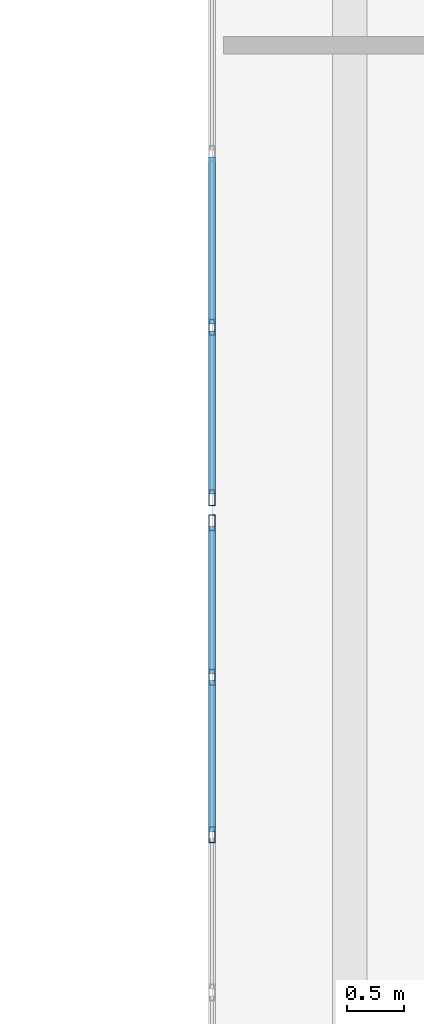
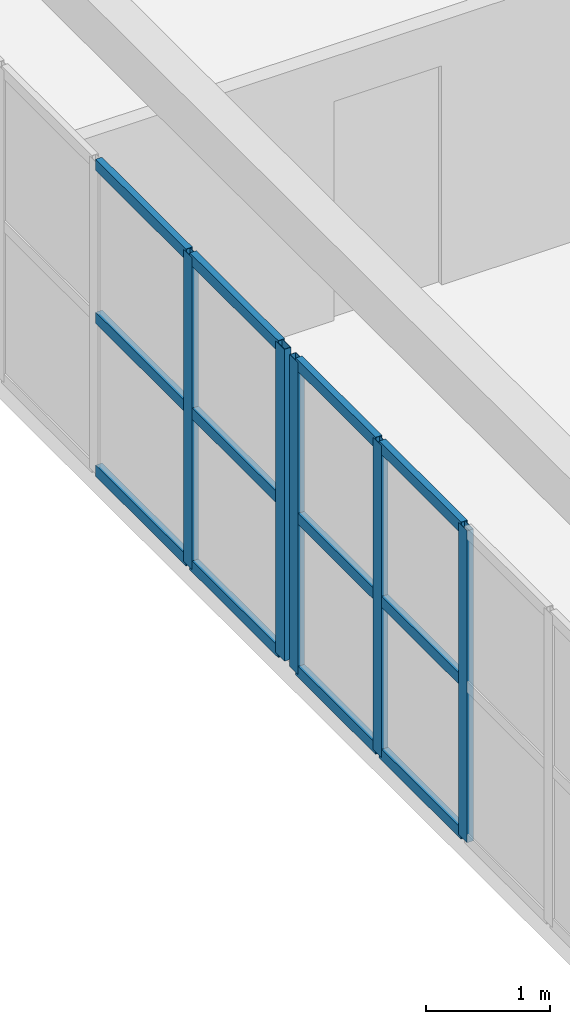
# One storey, part 18 of 148: 17 members, 2 elements without a shape of their own.
"""IFC4 building model written with IfcOpenShell, lengths in metres."""

from ifc_helpers import new_model, si_unit, direction, frame, origin, origin_2d, place, context, subcontext, project, spatial, hollow_rectangle, extrude, material, layer, layer_set, material_profile, profile_set, type_object, element, aggregate, save


model = new_model("IFC4")

# Units and contexts
model_context = context("Model", 3, precision=1e-05, world=origin(), true_north=direction((0.0, 1.0)))
body_context = subcontext(model_context, "Body", "Model", "MODEL_VIEW")
ifc_project = project(units=[si_unit("LENGTHUNIT", "METRE"), si_unit("AREAUNIT", "SQUARE_METRE"), si_unit("VOLUMEUNIT", "CUBIC_METRE"), si_unit("PLANEANGLEUNIT", "RADIAN"), si_unit("MASSUNIT", "GRAM", prefix="KILO")], contexts=[model_context])

# Site, building, storey
site_placement = place(None, origin())
site = spatial("IfcSite", under=ifc_project, at=site_placement, CompositionType="ELEMENT")
building_placement = place(site_placement, origin())
building = spatial("IfcBuilding", under=site, at=building_placement, Name="Trelvath General Hospital", CompositionType="ELEMENT")
storey_placement = place(building_placement, frame((0.0, 0.0, 12.89990234375)))
storey = spatial("IfcBuildingStorey", under=building, at=storey_placement, Name="L03", CompositionType="ELEMENT", Elevation=12.89990234375)

# Curtain wall, members
ifc_material_1 = material(Name="Anodised aluminium and low-E glass", Category="aluminium")
ifc_layer_1 = layer(ifc_material_1, 0.14990234375)
ifc_layer_set_1 = layer_set([ifc_layer_1], Name="Anodised aluminium and low-E glass")
curtain_wall_type_1 = type_object("IfcCurtainWallType", Name="CW CrystalCube 824 306 15", PredefinedType="USERDEFINED", material=ifc_layer_set_1)
curtain_wall_1_placement = place(storey_placement, origin())
curtain_wall_1 = element("IfcCurtainWall", 1, at=curtain_wall_1_placement, inside=storey, type_object=curtain_wall_type_1, Name="Crystal Cube Curtain Wall CUBE-W-T1 W2 L03", ObjectType="Unitised Glazed Curtain Wall", PredefinedType="USERDEFINED")
ifc_material_2 = material(Name="Anodised aluminium", Category="aluminium")
ifc_material_profile_1 = material_profile(ifc_material_2, hollow_rectangle(XDim=0.06005859375, YDim=0.139892578125, WallThickness=0.00390625, at=origin_2d()), Name="RHS60x140x4")
ifc_profile_set_1 = profile_set([ifc_material_profile_1], Name="Anodised aluminium")
member_type_1 = type_object("IfcMemberType", Name="CurtainMullion 60x140", PredefinedType="MULLION", material=ifc_profile_set_1)
member_1_placement = place(storey_placement, frame((53.199951171875, 47.5732421875, 0.0), z_axis=(0.0, 0.0, 1.0), x_axis=(-1.0, 0.0, 0.0)))
member_1 = element("IfcMember", 2, at=member_1_placement, type_object=member_type_1, Name="CW-238 mullion 5", PredefinedType="MULLION", context=body_context, shape_type="SweptSolid", body=[
    extrude(hollow_rectangle(XDim=0.06005859375, YDim=0.139892578125, WallThickness=0.00390625, at=origin_2d()), origin(), (0.0, 0.0, 1.0), 3.06005859375),
])
member_2_placement = place(storey_placement, frame((53.199951171875, 48.94677734375, 0.0), z_axis=(0.0, 0.0, 1.0), x_axis=(-1.0, 0.0, 0.0)))
member_2 = element("IfcMember", 3, at=member_2_placement, type_object=member_type_1, Name="CW-238 mullion 6", PredefinedType="MULLION", context=body_context, shape_type="SweptSolid", body=[
    extrude(hollow_rectangle(XDim=0.06005859375, YDim=0.139892578125, WallThickness=0.00390625, at=origin_2d()), origin(), (0.0, 0.0, 1.0), 3.06005859375),
])
member_3_placement = place(storey_placement, frame((53.199951171875, 50.2900390625, 0.0), z_axis=(0.0, 0.0, 1.0), x_axis=(-1.0, 0.0, 0.0)))
member_3 = element("IfcMember", 4, at=member_3_placement, type_object=member_type_1, Name="CW-238 mullion 7", PredefinedType="MULLION", context=body_context, shape_type="SweptSolid", body=[
    extrude(hollow_rectangle(XDim=0.06005859375, YDim=0.139892578125, WallThickness=0.00390625, at=origin_2d()), origin(), (0.0, 0.0, 1.0), 3.06005859375),
])

ifc_material_3 = material(Name="Anodised aluminium and low-E glass", Category="aluminium")
ifc_layer_2 = layer(ifc_material_3, 0.14990234375)
ifc_layer_set_2 = layer_set([ifc_layer_2], Name="Anodised aluminium and low-E glass")
curtain_wall_type_2 = type_object("IfcCurtainWallType", Name="CW CrystalCube 1664 306 15", PredefinedType="USERDEFINED", material=ifc_layer_set_2)
curtain_wall_2_placement = place(storey_placement, origin())
curtain_wall_2 = element("IfcCurtainWall", 5, at=curtain_wall_2_placement, inside=storey, type_object=curtain_wall_type_2, Name="Crystal Cube Curtain Wall CUBE-W-T1 W3 L03", ObjectType="Unitised Glazed Curtain Wall", PredefinedType="USERDEFINED")
member_4_placement = place(storey_placement, frame((53.199951171875, 50.510009765625, 0.0), z_axis=(0.0, 0.0, 1.0), x_axis=(-1.0, 0.0, 0.0)))
member_4 = element("IfcMember", 6, at=member_4_placement, type_object=member_type_1, Name="CW-239 mullion 1", PredefinedType="MULLION", context=body_context, shape_type="SweptSolid", body=[
    extrude(hollow_rectangle(XDim=0.06005859375, YDim=0.139892578125, WallThickness=0.00390625, at=origin_2d()), origin(), (0.0, 0.0, 1.0), 3.06005859375),
])
member_5_placement = place(storey_placement, frame((53.199951171875, 51.99267578125, 0.0), z_axis=(0.0, 0.0, 1.0), x_axis=(-1.0, 0.0, 0.0)))
member_5 = element("IfcMember", 7, at=member_5_placement, type_object=member_type_1, Name="CW-239 mullion 2", PredefinedType="MULLION", context=body_context, shape_type="SweptSolid", body=[
    extrude(hollow_rectangle(XDim=0.06005859375, YDim=0.139892578125, WallThickness=0.00390625, at=origin_2d()), origin(), (0.0, 0.0, 1.0), 3.06005859375),
])

# Member
ifc_material_4 = material(Name="Anodised aluminium", Category="aluminium")
ifc_material_profile_2 = material_profile(ifc_material_4, hollow_rectangle(XDim=0.06005859375, YDim=0.110107421875, WallThickness=0.00390625, at=origin_2d()), Name="RHS60x110x4")
ifc_profile_set_2 = profile_set([ifc_material_profile_2], Name="Anodised aluminium")
member_type_2 = type_object("IfcMemberType", Name="CurtainTransom 60x110", PredefinedType="USERDEFINED", material=ifc_profile_set_2)
member_6_placement = place(storey_placement, frame((53.199951171875, 47.603271484375, 0.030029296875), z_axis=(0.0, 1.0, 0.0), x_axis=(-1.0, 0.0, 0.0)))
member_6 = element("IfcMember", 8, at=member_6_placement, type_object=member_type_2, Name="CW-238 transom 5.1", ObjectType="TRANSOM", PredefinedType="USERDEFINED", context=body_context, shape_type="SweptSolid", body=[
    extrude(hollow_rectangle(XDim=0.06005859375, YDim=0.110107421875, WallThickness=0.00390625, at=origin_2d()), origin(), (0.0, 0.0, 1.0), 1.3134765625),
])

member_7_placement = place(storey_placement, frame((53.199951171875, 47.603271484375, 1.530029296875), z_axis=(0.0, 1.0, 0.0), x_axis=(-1.0, 0.0, 0.0)))
member_7 = element("IfcMember", 9, at=member_7_placement, type_object=member_type_2, Name="CW-238 transom 5.2", ObjectType="TRANSOM", PredefinedType="USERDEFINED", context=body_context, shape_type="SweptSolid", body=[
    extrude(hollow_rectangle(XDim=0.06005859375, YDim=0.110107421875, WallThickness=0.00390625, at=origin_2d()), origin(), (0.0, 0.0, 1.0), 1.3134765625),
])

member_8_placement = place(storey_placement, frame((53.199951171875, 47.603271484375, 3.030029296875), z_axis=(0.0, 1.0, 0.0), x_axis=(-1.0, 0.0, 0.0)))
member_8 = element("IfcMember", 10, at=member_8_placement, type_object=member_type_2, Name="CW-238 transom 5.3", ObjectType="TRANSOM", PredefinedType="USERDEFINED", context=body_context, shape_type="SweptSolid", body=[
    extrude(hollow_rectangle(XDim=0.06005859375, YDim=0.110107421875, WallThickness=0.00390625, at=origin_2d()), origin(), (0.0, 0.0, 1.0), 1.3134765625),
])

member_9_placement = place(storey_placement, frame((53.199951171875, 48.9765625, 0.030029296875), z_axis=(0.0, 1.0, 0.0), x_axis=(-1.0, 0.0, 0.0)))
member_9 = element("IfcMember", 11, at=member_9_placement, type_object=member_type_2, Name="CW-238 transom 6.1", ObjectType="TRANSOM", PredefinedType="USERDEFINED", context=body_context, shape_type="SweptSolid", body=[
    extrude(hollow_rectangle(XDim=0.06005859375, YDim=0.110107421875, WallThickness=0.00390625, at=origin_2d()), origin(), (0.0, 0.0, 1.0), 1.283447265625),
])

member_10_placement = place(storey_placement, frame((53.199951171875, 48.9765625, 1.530029296875), z_axis=(0.0, 1.0, 0.0), x_axis=(-1.0, 0.0, 0.0)))
member_10 = element("IfcMember", 12, at=member_10_placement, type_object=member_type_2, Name="CW-238 transom 6.2", ObjectType="TRANSOM", PredefinedType="USERDEFINED", context=body_context, shape_type="SweptSolid", body=[
    extrude(hollow_rectangle(XDim=0.06005859375, YDim=0.110107421875, WallThickness=0.00390625, at=origin_2d()), origin(), (0.0, 0.0, 1.0), 1.283447265625),
])

member_11_placement = place(storey_placement, frame((53.199951171875, 48.9765625, 3.030029296875), z_axis=(0.0, 1.0, 0.0), x_axis=(-1.0, 0.0, 0.0)))
member_11 = element("IfcMember", 13, at=member_11_placement, type_object=member_type_2, Name="CW-238 transom 6.3", ObjectType="TRANSOM", PredefinedType="USERDEFINED", context=body_context, shape_type="SweptSolid", body=[
    extrude(hollow_rectangle(XDim=0.06005859375, YDim=0.110107421875, WallThickness=0.00390625, at=origin_2d()), origin(), (0.0, 0.0, 1.0), 1.283447265625),
])

aggregate(curtain_wall_1, [member_1, member_2, member_3, member_6, member_7, member_8, member_9, member_10, member_11])

member_12_placement = place(storey_placement, frame((53.199951171875, 50.5400390625, 0.030029296875), z_axis=(0.0, 1.0, 0.0), x_axis=(-1.0, 0.0, 0.0)))
member_12 = element("IfcMember", 14, at=member_12_placement, type_object=member_type_2, Name="CW-239 transom 1.1", ObjectType="TRANSOM", PredefinedType="USERDEFINED", context=body_context, shape_type="SweptSolid", body=[
    extrude(hollow_rectangle(XDim=0.06005859375, YDim=0.110107421875, WallThickness=0.00390625, at=origin_2d()), origin(), (0.0, 0.0, 1.0), 1.422607421875),
])

member_13_placement = place(storey_placement, frame((53.199951171875, 50.5400390625, 1.530029296875), z_axis=(0.0, 1.0, 0.0), x_axis=(-1.0, 0.0, 0.0)))
member_13 = element("IfcMember", 15, at=member_13_placement, type_object=member_type_2, Name="CW-239 transom 1.2", ObjectType="TRANSOM", PredefinedType="USERDEFINED", context=body_context, shape_type="SweptSolid", body=[
    extrude(hollow_rectangle(XDim=0.06005859375, YDim=0.110107421875, WallThickness=0.00390625, at=origin_2d()), origin(), (0.0, 0.0, 1.0), 1.422607421875),
])

member_14_placement = place(storey_placement, frame((53.199951171875, 50.5400390625, 3.030029296875), z_axis=(0.0, 1.0, 0.0), x_axis=(-1.0, 0.0, 0.0)))
member_14 = element("IfcMember", 16, at=member_14_placement, type_object=member_type_2, Name="CW-239 transom 1.3", ObjectType="TRANSOM", PredefinedType="USERDEFINED", context=body_context, shape_type="SweptSolid", body=[
    extrude(hollow_rectangle(XDim=0.06005859375, YDim=0.110107421875, WallThickness=0.00390625, at=origin_2d()), origin(), (0.0, 0.0, 1.0), 1.422607421875),
])

member_15_placement = place(storey_placement, frame((53.199951171875, 52.022705078125, 0.030029296875), z_axis=(0.0, 1.0, 0.0), x_axis=(-1.0, 0.0, 0.0)))
member_15 = element("IfcMember", 17, at=member_15_placement, type_object=member_type_2, Name="CW-239 transom 2.1", ObjectType="TRANSOM", PredefinedType="USERDEFINED", context=body_context, shape_type="SweptSolid", body=[
    extrude(hollow_rectangle(XDim=0.06005859375, YDim=0.110107421875, WallThickness=0.00390625, at=origin_2d()), origin(), (0.0, 0.0, 1.0), 1.45263671875),
])

member_16_placement = place(storey_placement, frame((53.199951171875, 52.022705078125, 1.530029296875), z_axis=(0.0, 1.0, 0.0), x_axis=(-1.0, 0.0, 0.0)))
member_16 = element("IfcMember", 18, at=member_16_placement, type_object=member_type_2, Name="CW-239 transom 2.2", ObjectType="TRANSOM", PredefinedType="USERDEFINED", context=body_context, shape_type="SweptSolid", body=[
    extrude(hollow_rectangle(XDim=0.06005859375, YDim=0.110107421875, WallThickness=0.00390625, at=origin_2d()), origin(), (0.0, 0.0, 1.0), 1.45263671875),
])

member_17_placement = place(storey_placement, frame((53.199951171875, 52.022705078125, 3.030029296875), z_axis=(0.0, 1.0, 0.0), x_axis=(-1.0, 0.0, 0.0)))
member_17 = element("IfcMember", 19, at=member_17_placement, type_object=member_type_2, Name="CW-239 transom 2.3", ObjectType="TRANSOM", PredefinedType="USERDEFINED", context=body_context, shape_type="SweptSolid", body=[
    extrude(hollow_rectangle(XDim=0.06005859375, YDim=0.110107421875, WallThickness=0.00390625, at=origin_2d()), origin(), (0.0, 0.0, 1.0), 1.45263671875),
])

aggregate(curtain_wall_2, [member_4, member_5, member_12, member_13, member_14, member_15, member_16, member_17])

save(model, "model.ifc")
